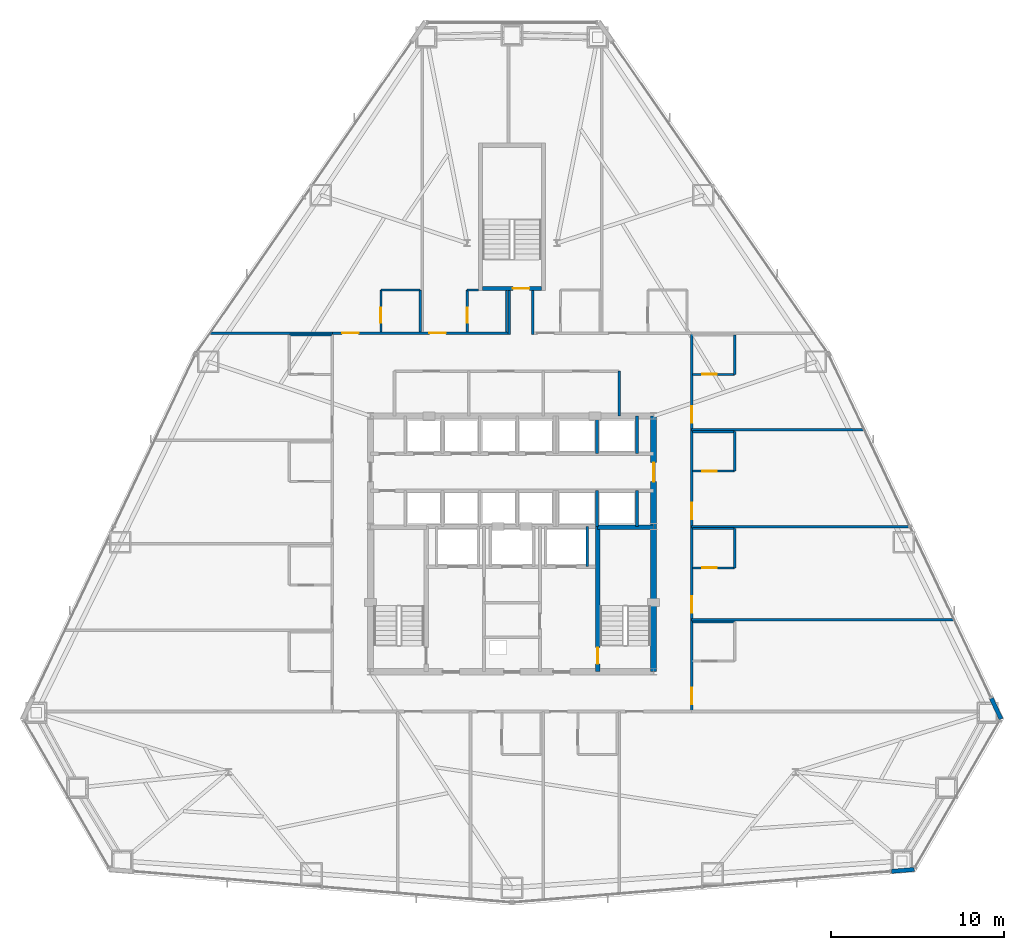
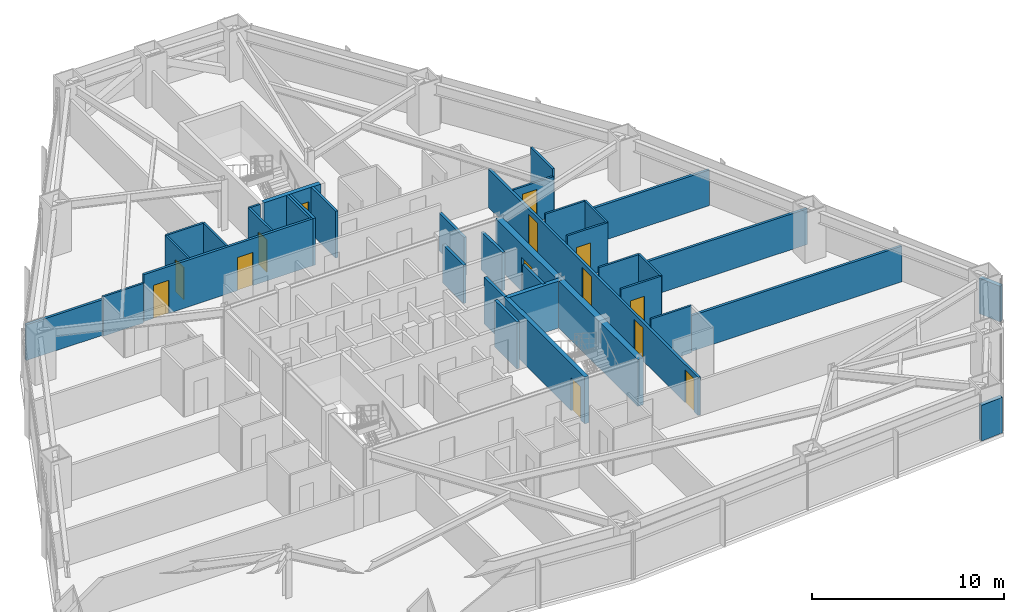
# One storey, part 11 of 13: 36 walls, 14 doors, 14 openings.
"""IFC4 building model written with IfcOpenShell, lengths in metres."""

from ifc_helpers import new_model, si_unit, direction, frame, frame_2d, origin, place, context, subcontext, project, spatial, rectangle, extrude, material, layer, layer_set, type_object, element, fill, save


model = new_model("IFC4")

# Units and contexts
model_context = context("Model", 3, precision=1e-05, world=origin(), true_north=direction((0.0, 1.0)))
body_context = subcontext(model_context, "Body", "Model", "MODEL_VIEW")
ifc_project = project(units=[si_unit("LENGTHUNIT", "METRE"), si_unit("AREAUNIT", "SQUARE_METRE"), si_unit("VOLUMEUNIT", "CUBIC_METRE"), si_unit("PLANEANGLEUNIT", "RADIAN"), si_unit("MASSUNIT", "GRAM", prefix="KILO")], contexts=[model_context])

# Site, building, storey
site_placement = place(None, origin())
site = spatial("IfcSite", under=ifc_project, at=site_placement, CompositionType="ELEMENT")
building_placement = place(site_placement, origin())
building = spatial("IfcBuilding", under=site, at=building_placement, Name="Varakhsha Concourse Tower", CompositionType="ELEMENT")
storey_placement = place(building_placement, frame((0.0, 0.0, 46.39990234375)))
storey = spatial("IfcBuildingStorey", under=building, at=storey_placement, Name="L12", CompositionType="ELEMENT", Elevation=46.39990234375)

# Wall, opening, door
ifc_material_1 = material(Name="Concrete fc 65 MPa", Category="concrete")
ifc_layer_1 = layer(ifc_material_1, 0.35009765625, Name="WL-CORE-350")
ifc_layer_set_1 = layer_set([ifc_layer_1], Name="Concrete fc 65 MPa")
wall_type_1 = type_object("IfcWallType", Name="WL-CORE-350", PredefinedType="SHEAR", material=ifc_layer_set_1)
wall_1_placement = place(storey_placement, frame((48.199951171875, 16.39990234375, 0.0), z_axis=(0.0, 0.0, 1.0), x_axis=(0.0, 1.0, 0.0)))
wall_1 = element("IfcWall", 1, at=wall_1_placement, inside=storey, type_object=wall_type_1, Name="L12 Wall CWALL-E-L12", PredefinedType="SHEAR", context=body_context, shape_type="SweptSolid", body=[
    extrude(rectangle(XDim=14.800048828125, YDim=0.35009765625, at=frame_2d((7.39990234375, 0.0))), origin(), (0.0, 0.0, 1.0), 2.97998046875),
])
opening_1_placement = place(wall_1_placement, frame((11.0, 0.0, 0.0)))
opening_1 = element("IfcOpeningElement", 2, at=opening_1_placement, cuts=wall_1, Name="Opening DL-01", PredefinedType="OPENING", context=body_context, shape_type="SweptSolid", body=[
    extrude(rectangle(XDim=1.10009765625, YDim=2.14990234375, at=frame_2d((0.550048828125, 1.074951171875))), frame((0.0, 0.18505859375, 0.0), z_axis=(0.0, -1.0, 0.0), x_axis=(1.0, 0.0, 0.0)), (0.0, 0.0, 1.0), 0.3701171875),
])
ifc_material_2 = material(Name="Anodised Bronze Architectural Aluminium AA 6063-T6", Category="aluminium")
door_type_1 = type_object("IfcDoorType", Name="DR-LOB-1100", OperationType="NOTDEFINED", PredefinedType="DOOR", material=ifc_material_2)
door_1_placement = place(opening_1_placement, origin())
door_1 = element("IfcDoor", 3, at=door_1_placement, inside=storey, type_object=door_type_1, Name="L12 Lift Lobby East Concourse Door", OperationType="SINGLE_SWING_RIGHT", OverallHeight=2.14990234375, OverallWidth=1.10009765625, PredefinedType="DOOR", context=body_context, shape_type="SweptSolid", body=[
    extrude(rectangle(XDim=1.10009765625, YDim=2.14990234375, at=frame_2d((0.550048828125, 1.074951171875))), frame((0.0, 0.02490234375, 0.0), z_axis=(0.0, -1.0, 0.0), x_axis=(1.0, 0.0, 0.0)), (0.0, 0.0, 1.0), 0.050048828125),
])
fill(opening_1, door_1)

# Walls
ifc_material_3 = material(Name="Concrete fc 45 MPa", Category="concrete")
ifc_layer_2 = layer(ifc_material_3, 0.239990234375, Name="WL-EXT-CRN-240")
ifc_layer_set_2 = layer_set([ifc_layer_2], Name="Concrete fc 45 MPa")
wall_type_2 = type_object("IfcWallType", Name="WL-EXT-CRN-240", PredefinedType="SHEAR", material=ifc_layer_set_2)
wall_2_placement = place(storey_placement, frame((61.953857421875, 4.8466796875, 0.0), z_axis=(0.0, 0.0, 1.0), x_axis=(0.996670011116, 0.081540719538, 0.0)))
element("IfcWall", 4, at=wall_2_placement, inside=storey, type_object=wall_type_2, Name="L12 Wind-Corner Shoulder Wall F6", PredefinedType="SHEAR", context=body_context, shape_type="SweptSolid", body=[
    extrude(rectangle(XDim=1.329345703125, YDim=0.239990234375, at=frame_2d((0.66455078125, 0.0))), origin(), (0.0, 0.0, 1.0), 2.26318359375),
])
wall_3_placement = place(storey_placement, frame((68.305908203125, 13.662353515625, 0.0), z_axis=(0.0, 0.0, 1.0), x_axis=(-0.427644283084, 0.903947104175, 0.0)))
element("IfcWall", 5, at=wall_3_placement, inside=storey, type_object=wall_type_2, Name="L12 Wind-Corner Shoulder Wall F8", PredefinedType="SHEAR", context=body_context, shape_type="SweptSolid", body=[
    extrude(rectangle(XDim=1.32958984375, YDim=0.239990234375, at=frame_2d((0.664794921875, 0.0))), origin(), (0.0, 0.0, 1.0), 2.26318359375),
])
ifc_material_4 = material(Name="Acoustic Gypsum Board Partition Assembly", Category="gypsum")
ifc_layer_3 = layer(ifc_material_4, 0.1201171875, Name="WL-PART-120")
ifc_layer_set_3 = layer_set([ifc_layer_3], Name="Acoustic Gypsum Board Partition Assembly")
wall_type_3 = type_object("IfcWallType", Name="WL-PART-120", PredefinedType="PARTITIONING", material=ifc_layer_set_3)
wall_4_placement = place(storey_placement, frame((27.110107421875, 35.889892578125, 0.0), z_axis=(0.0, 0.0, 1.0), x_axis=(1.0, 0.0, 0.0)))
element("IfcWall", 6, at=wall_4_placement, inside=storey, type_object=wall_type_3, Name="L12 Wall ENSW-N-L12-H09", PredefinedType="PARTITIONING", context=body_context, shape_type="SweptSolid", body=[
    extrude(rectangle(XDim=2.429931640625, YDim=0.1201171875, at=frame_2d((1.21484375, 0.0))), origin(), (0.0, 0.0, 1.0), 2.51318359375),
])
wall_5_placement = place(storey_placement, frame((50.4599609375, 19.2900390625, 0.0), z_axis=(0.0, 0.0, 1.0), x_axis=(1.0, 0.0, 0.0)))
element("IfcWall", 7, at=wall_5_placement, inside=storey, type_object=wall_type_3, Name="L12 Wall ENSW-N-L12-H10", PredefinedType="PARTITIONING", context=body_context, shape_type="SweptSolid", body=[
    extrude(rectangle(XDim=2.429931640625, YDim=0.1201171875, at=frame_2d((1.21484375, 0.0))), origin(), (0.0, 0.0, 1.0), 2.97998046875),
])
wall_6_placement = place(storey_placement, frame((52.889892578125, 22.409912109375, 0.0), z_axis=(0.0, 0.0, 1.0), x_axis=(0.0, 1.0, 0.0)))
element("IfcWall", 8, at=wall_6_placement, inside=storey, type_object=wall_type_3, Name="L12 Wall ENSW-E-L12-H11", PredefinedType="PARTITIONING", context=body_context, shape_type="SweptSolid", body=[
    extrude(rectangle(XDim=2.280029296875, YDim=0.1201171875, at=frame_2d((1.14013671875, 0.0))), origin(), (0.0, 0.0, 1.0), 2.97998046875),
])

# Wall, opening, door
wall_7_placement = place(storey_placement, frame((50.4599609375, 22.409912109375, 0.0), z_axis=(0.0, 0.0, 1.0), x_axis=(1.0, 0.0, 0.0)))
wall_7 = element("IfcWall", 9, at=wall_7_placement, inside=storey, type_object=wall_type_3, Name="L12 Wall ENSW-S-L12-H11", PredefinedType="PARTITIONING", context=body_context, shape_type="SweptSolid", body=[
    extrude(rectangle(XDim=2.429931640625, YDim=0.1201171875, at=frame_2d((1.21484375, 0.0))), origin(), (0.0, 0.0, 1.0), 2.97998046875),
])
opening_2_placement = place(wall_7_placement, frame((0.550048828125, 0.0, 0.0)))
opening_2 = element("IfcOpeningElement", 10, at=opening_2_placement, cuts=wall_7, Name="Opening DI-01", PredefinedType="OPENING", context=body_context, shape_type="SweptSolid", body=[
    extrude(rectangle(XDim=0.85009765625, YDim=2.050048828125, at=frame_2d((0.425048828125, 1.02490234375))), frame((0.0, 0.070068359375, 0.0), z_axis=(0.0, -1.0, 0.0), x_axis=(1.0, 0.0, 0.0)), (0.0, 0.0, 1.0), 0.14013671875),
])
ifc_material_5 = material(Name="Architectural Walnut Acoustic Timber Door", Category="wood")
door_type_2 = type_object("IfcDoorType", Name="DR-INT-850", OperationType="NOTDEFINED", PredefinedType="DOOR", material=ifc_material_5)
door_2_placement = place(opening_2_placement, origin())
door_2 = element("IfcDoor", 11, at=door_2_placement, inside=storey, type_object=door_type_2, Name="L12 En-suite Bathroom Door L12-H11", OperationType="SINGLE_SWING_RIGHT", OverallHeight=2.050048828125, OverallWidth=0.85009765625, PredefinedType="DOOR", context=body_context, shape_type="SweptSolid", body=[
    extrude(rectangle(XDim=0.85009765625, YDim=2.050048828125, at=frame_2d((0.425048828125, 1.02490234375))), frame((0.0, 0.02490234375, 0.0), z_axis=(0.0, -1.0, 0.0), x_axis=(1.0, 0.0, 0.0)), (0.0, 0.0, 1.0), 0.050048828125),
])
fill(opening_2, door_2)

# Walls
wall_8_placement = place(storey_placement, frame((50.4599609375, 24.68994140625, 0.0), z_axis=(0.0, 0.0, 1.0), x_axis=(1.0, 0.0, 0.0)))
element("IfcWall", 12, at=wall_8_placement, inside=storey, type_object=wall_type_3, Name="L12 Wall ENSW-N-L12-H11", PredefinedType="PARTITIONING", context=body_context, shape_type="SweptSolid", body=[
    extrude(rectangle(XDim=2.429931640625, YDim=0.1201171875, at=frame_2d((1.21484375, 0.0))), origin(), (0.0, 0.0, 1.0), 2.97998046875),
])
wall_9_placement = place(storey_placement, frame((52.889892578125, 28.010009765625, 0.0), z_axis=(0.0, 0.0, 1.0), x_axis=(0.0, 1.0, 0.0)))
element("IfcWall", 13, at=wall_9_placement, inside=storey, type_object=wall_type_3, Name="L12 Wall ENSW-E-L12-H12", PredefinedType="PARTITIONING", context=body_context, shape_type="SweptSolid", body=[
    extrude(rectangle(XDim=2.280029296875, YDim=0.1201171875, at=frame_2d((1.14013671875, 0.0))), origin(), (0.0, 0.0, 1.0), 2.97998046875),
])

# Wall, opening, door
wall_10_placement = place(storey_placement, frame((50.4599609375, 28.010009765625, 0.0), z_axis=(0.0, 0.0, 1.0), x_axis=(1.0, 0.0, 0.0)))
wall_10 = element("IfcWall", 14, at=wall_10_placement, inside=storey, type_object=wall_type_3, Name="L12 Wall ENSW-S-L12-H12", PredefinedType="PARTITIONING", context=body_context, shape_type="SweptSolid", body=[
    extrude(rectangle(XDim=2.429931640625, YDim=0.1201171875, at=frame_2d((1.21484375, 0.0))), origin(), (0.0, 0.0, 1.0), 2.97998046875),
])
opening_3_placement = place(wall_10_placement, frame((0.550048828125, 0.0, 0.0)))
opening_3 = element("IfcOpeningElement", 15, at=opening_3_placement, cuts=wall_10, Name="Opening DI-01", PredefinedType="OPENING", context=body_context, shape_type="SweptSolid", body=[
    extrude(rectangle(XDim=0.85009765625, YDim=2.050048828125, at=frame_2d((0.425048828125, 1.02490234375))), frame((0.0, 0.070068359375, 0.0), z_axis=(0.0, -1.0, 0.0), x_axis=(1.0, 0.0, 0.0)), (0.0, 0.0, 1.0), 0.14013671875),
])
door_3_placement = place(opening_3_placement, origin())
door_3 = element("IfcDoor", 16, at=door_3_placement, inside=storey, type_object=door_type_2, Name="L12 En-suite Bathroom Door L12-H12", OperationType="SINGLE_SWING_RIGHT", OverallHeight=2.050048828125, OverallWidth=0.85009765625, PredefinedType="DOOR", context=body_context, shape_type="SweptSolid", body=[
    extrude(rectangle(XDim=0.85009765625, YDim=2.050048828125, at=frame_2d((0.425048828125, 1.02490234375))), frame((0.0, 0.02490234375, 0.0), z_axis=(0.0, -1.0, 0.0), x_axis=(1.0, 0.0, 0.0)), (0.0, 0.0, 1.0), 0.050048828125),
])
fill(opening_3, door_3)

# Walls
wall_11_placement = place(storey_placement, frame((50.4599609375, 30.2900390625, 0.0), z_axis=(0.0, 0.0, 1.0), x_axis=(1.0, 0.0, 0.0)))
element("IfcWall", 17, at=wall_11_placement, inside=storey, type_object=wall_type_3, Name="L12 Wall ENSW-N-L12-H12", PredefinedType="PARTITIONING", context=body_context, shape_type="SweptSolid", body=[
    extrude(rectangle(XDim=2.429931640625, YDim=0.1201171875, at=frame_2d((1.21484375, 0.0))), origin(), (0.0, 0.0, 1.0), 2.97998046875),
])
wall_12_placement = place(storey_placement, frame((52.889892578125, 33.610107421875, 0.0), z_axis=(0.0, 0.0, 1.0), x_axis=(0.0, 1.0, 0.0)))
element("IfcWall", 18, at=wall_12_placement, inside=storey, type_object=wall_type_3, Name="L12 Wall ENSW-E-L12-H13", PredefinedType="PARTITIONING", context=body_context, shape_type="SweptSolid", body=[
    extrude(rectangle(XDim=2.27978515625, YDim=0.1201171875, at=frame_2d((1.139892578125, 0.0))), origin(), (0.0, 0.0, 1.0), 2.97998046875),
])

# Wall, opening, door
wall_13_placement = place(storey_placement, frame((50.4599609375, 33.610107421875, 0.0), z_axis=(0.0, 0.0, 1.0), x_axis=(1.0, 0.0, 0.0)))
wall_13 = element("IfcWall", 19, at=wall_13_placement, inside=storey, type_object=wall_type_3, Name="L12 Wall ENSW-S-L12-H13", PredefinedType="PARTITIONING", context=body_context, shape_type="SweptSolid", body=[
    extrude(rectangle(XDim=2.429931640625, YDim=0.1201171875, at=frame_2d((1.21484375, 0.0))), origin(), (0.0, 0.0, 1.0), 2.51318359375),
])
opening_4_placement = place(wall_13_placement, frame((0.550048828125, 0.0, 0.0)))
opening_4 = element("IfcOpeningElement", 20, at=opening_4_placement, cuts=wall_13, Name="Opening DI-01", PredefinedType="OPENING", context=body_context, shape_type="SweptSolid", body=[
    extrude(rectangle(XDim=0.85009765625, YDim=2.050048828125, at=frame_2d((0.425048828125, 1.02490234375))), frame((0.0, 0.070068359375, 0.0), z_axis=(0.0, -1.0, 0.0), x_axis=(1.0, 0.0, 0.0)), (0.0, 0.0, 1.0), 0.14013671875),
])
door_4_placement = place(opening_4_placement, origin())
door_4 = element("IfcDoor", 21, at=door_4_placement, inside=storey, type_object=door_type_2, Name="L12 En-suite Bathroom Door L12-H13", OperationType="SINGLE_SWING_RIGHT", OverallHeight=2.050048828125, OverallWidth=0.85009765625, PredefinedType="DOOR", context=body_context, shape_type="SweptSolid", body=[
    extrude(rectangle(XDim=0.85009765625, YDim=2.050048828125, at=frame_2d((0.425048828125, 1.02490234375))), frame((0.0, 0.02490234375, 0.0), z_axis=(0.0, -1.0, 0.0), x_axis=(1.0, 0.0, 0.0)), (0.0, 0.0, 1.0), 0.050048828125),
])
fill(opening_4, door_4)

wall_14_placement = place(storey_placement, frame((32.409912109375, 36.06005859375, 0.0), z_axis=(0.0, 0.0, 1.0), x_axis=(0.0, 1.0, 0.0)))
wall_14 = element("IfcWall", 22, at=wall_14_placement, inside=storey, type_object=wall_type_3, Name="L12 Wall ENSW-W-L12-H14", PredefinedType="PARTITIONING", context=body_context, shape_type="SweptSolid", body=[
    extrude(rectangle(XDim=2.429931640625, YDim=0.1201171875, at=frame_2d((1.21484375, 0.0))), origin(), (0.0, 0.0, 1.0), 2.97998046875),
])
opening_5_placement = place(wall_14_placement, frame((0.550048828125, 0.0, 0.0)))
opening_5 = element("IfcOpeningElement", 23, at=opening_5_placement, cuts=wall_14, Name="Opening DI-01", PredefinedType="OPENING", context=body_context, shape_type="SweptSolid", body=[
    extrude(rectangle(XDim=0.85009765625, YDim=2.050048828125, at=frame_2d((0.425048828125, 1.02490234375))), frame((0.0, 0.070068359375, 0.0), z_axis=(0.0, -1.0, 0.0), x_axis=(1.0, 0.0, 0.0)), (0.0, 0.0, 1.0), 0.14013671875),
])
door_5_placement = place(opening_5_placement, origin())
door_5 = element("IfcDoor", 24, at=door_5_placement, inside=storey, type_object=door_type_2, Name="L12 En-suite Bathroom Door L12-H14", OperationType="SINGLE_SWING_RIGHT", OverallHeight=2.050048828125, OverallWidth=0.85009765625, PredefinedType="DOOR", context=body_context, shape_type="SweptSolid", body=[
    extrude(rectangle(XDim=0.85009765625, YDim=2.050048828125, at=frame_2d((0.425048828125, 1.02490234375))), frame((0.0, 0.02490234375, 0.0), z_axis=(0.0, -1.0, 0.0), x_axis=(1.0, 0.0, 0.0)), (0.0, 0.0, 1.0), 0.050048828125),
])
fill(opening_5, door_5)

# Walls
wall_15_placement = place(storey_placement, frame((34.68994140625, 36.06005859375, 0.0), z_axis=(0.0, 0.0, 1.0), x_axis=(0.0, 1.0, 0.0)))
element("IfcWall", 25, at=wall_15_placement, inside=storey, type_object=wall_type_3, Name="L12 Wall ENSW-E-L12-H14", PredefinedType="PARTITIONING", context=body_context, shape_type="SweptSolid", body=[
    extrude(rectangle(XDim=2.429931640625, YDim=0.1201171875, at=frame_2d((1.21484375, 0.0))), origin(), (0.0, 0.0, 1.0), 2.97998046875),
])
wall_16_placement = place(storey_placement, frame((32.409912109375, 38.489990234375, 0.0), z_axis=(0.0, 0.0, 1.0), x_axis=(1.0, 0.0, 0.0)))
element("IfcWall", 26, at=wall_16_placement, inside=storey, type_object=wall_type_3, Name="L12 Wall ENSW-N-L12-H14", PredefinedType="PARTITIONING", context=body_context, shape_type="SweptSolid", body=[
    extrude(rectangle(XDim=2.280029296875, YDim=0.1201171875, at=frame_2d((1.14013671875, 0.0))), origin(), (0.0, 0.0, 1.0), 2.97998046875),
])

# Wall, opening, door
wall_17_placement = place(storey_placement, frame((37.409912109375, 36.06005859375, 0.0), z_axis=(0.0, 0.0, 1.0), x_axis=(0.0, 1.0, 0.0)))
wall_17 = element("IfcWall", 27, at=wall_17_placement, inside=storey, type_object=wall_type_3, Name="L12 Wall ENSW-W-L12-H15", PredefinedType="PARTITIONING", context=body_context, shape_type="SweptSolid", body=[
    extrude(rectangle(XDim=2.429931640625, YDim=0.1201171875, at=frame_2d((1.21484375, 0.0))), origin(), (0.0, 0.0, 1.0), 2.97998046875),
])
opening_6_placement = place(wall_17_placement, frame((0.550048828125, 0.0, 0.0)))
opening_6 = element("IfcOpeningElement", 28, at=opening_6_placement, cuts=wall_17, Name="Opening DI-01", PredefinedType="OPENING", context=body_context, shape_type="SweptSolid", body=[
    extrude(rectangle(XDim=0.85009765625, YDim=2.050048828125, at=frame_2d((0.425048828125, 1.02490234375))), frame((0.0, 0.070068359375, 0.0), z_axis=(0.0, -1.0, 0.0), x_axis=(1.0, 0.0, 0.0)), (0.0, 0.0, 1.0), 0.14013671875),
])
door_6_placement = place(opening_6_placement, origin())
door_6 = element("IfcDoor", 29, at=door_6_placement, inside=storey, type_object=door_type_2, Name="L12 En-suite Bathroom Door L12-H15", OperationType="SINGLE_SWING_RIGHT", OverallHeight=2.050048828125, OverallWidth=0.85009765625, PredefinedType="DOOR", context=body_context, shape_type="SweptSolid", body=[
    extrude(rectangle(XDim=0.85009765625, YDim=2.050048828125, at=frame_2d((0.425048828125, 1.02490234375))), frame((0.0, 0.02490234375, 0.0), z_axis=(0.0, -1.0, 0.0), x_axis=(1.0, 0.0, 0.0)), (0.0, 0.0, 1.0), 0.050048828125),
])
fill(opening_6, door_6)

# Walls
wall_18_placement = place(storey_placement, frame((39.68994140625, 36.06005859375, 0.0), z_axis=(0.0, 0.0, 1.0), x_axis=(0.0, 1.0, 0.0)))
element("IfcWall", 30, at=wall_18_placement, inside=storey, type_object=wall_type_3, Name="L12 Wall ENSW-E-L12-H15", PredefinedType="PARTITIONING", context=body_context, shape_type="SweptSolid", body=[
    extrude(rectangle(XDim=2.389892578125, YDim=0.1201171875, at=frame_2d((1.19482421875, 0.0))), origin(), (0.0, 0.0, 1.0), 2.97998046875),
])
wall_19_placement = place(storey_placement, frame((37.409912109375, 38.489990234375, 0.0), z_axis=(0.0, 0.0, 1.0), x_axis=(1.0, 0.0, 0.0)))
element("IfcWall", 31, at=wall_19_placement, inside=storey, type_object=wall_type_3, Name="L12 Wall ENSW-N-L12-H15", PredefinedType="PARTITIONING", context=body_context, shape_type="SweptSolid", body=[
    extrude(rectangle(XDim=0.64013671875, YDim=0.1201171875, at=frame_2d((0.320068359375, 0.0))), origin(), (0.0, 0.0, 1.0), 2.97998046875),
])
ifc_material_6 = material(Name="Fire-Rated Type X Gypsum Partition Assembly", Category="gypsum")
ifc_layer_4 = layer(ifc_material_6, 0.14990234375, Name="WL-PART-150")
ifc_layer_set_4 = layer_set([ifc_layer_4], Name="Fire-Rated Type X Gypsum Partition Assembly")
wall_type_4 = type_object("IfcWallType", Name="WL-PART-150", PredefinedType="PARTITIONING", material=ifc_layer_set_4)
wall_20_placement = place(storey_placement, frame((46.199951171875, 31.199951171875, 0.0), z_axis=(0.0, 0.0, 1.0), x_axis=(0.0, 1.0, 0.0)))
element("IfcWall", 32, at=wall_20_placement, inside=storey, type_object=wall_type_4, Name="L12 Wall NBOH-E-L12", PredefinedType="PARTITIONING", context=body_context, shape_type="SweptSolid", body=[
    extrude(rectangle(XDim=2.60009765625, YDim=0.14990234375, at=frame_2d((1.300048828125, 0.0))), origin(), (0.0, 0.0, 1.0), 2.43115234375),
])

# Wall, openings, doors
wall_21_placement = place(storey_placement, frame((29.60009765625, 36.0, 0.0), z_axis=(0.0, 0.0, 1.0), x_axis=(1.0, 0.0, 0.0)))
wall_21 = element("IfcWall", 33, at=wall_21_placement, inside=storey, type_object=wall_type_4, Name="L12 Wall CRW-N-L12", PredefinedType="PARTITIONING", context=body_context, shape_type="SweptSolid", body=[
    extrude(rectangle(XDim=10.1748046875, YDim=0.14990234375, at=frame_2d((5.08740234375, 0.0))), origin(), (0.0, 0.0, 1.0), 2.97998046875),
])
opening_7_placement = place(wall_21_placement, frame((0.570068359375, 0.0, 0.0)))
opening_7 = element("IfcOpeningElement", 34, at=opening_7_placement, cuts=wall_21, Name="Opening DF-05", PredefinedType="OPENING", context=body_context, shape_type="SweptSolid", body=[
    extrude(rectangle(XDim=0.949951171875, YDim=2.10009765625, at=frame_2d((0.47509765625, 1.050048828125))), frame((0.0, 0.0849609375, 0.0), z_axis=(0.0, -1.0, 0.0), x_axis=(1.0, 0.0, 0.0)), (0.0, 0.0, 1.0), 0.169921875),
])
opening_8_placement = place(wall_21_placement, frame((5.6201171875, 0.0, 0.0)))
opening_8 = element("IfcOpeningElement", 35, at=opening_8_placement, cuts=wall_21, Name="Opening DF-05", PredefinedType="OPENING", context=body_context, shape_type="SweptSolid", body=[
    extrude(rectangle(XDim=0.949951171875, YDim=2.10009765625, at=frame_2d((0.47509765625, 1.050048828125))), frame((0.0, 0.0849609375, 0.0), z_axis=(0.0, -1.0, 0.0), x_axis=(1.0, 0.0, 0.0)), (0.0, 0.0, 1.0), 0.169921875),
])
ifc_material_7 = material(Name="Hollow Galvanised Steel Fire Door Assembly", Category="steel")
door_type_3 = type_object("IfcDoorType", Name="DR-FD60-950", OperationType="NOTDEFINED", PredefinedType="DOOR", material=ifc_material_7)
door_7_placement = place(opening_7_placement, origin())
door_7 = element("IfcDoor", 36, at=door_7_placement, inside=storey, type_object=door_type_3, Name="L12 Hotel Corner Suite L12-H14 Entry Door", OperationType="SINGLE_SWING_RIGHT", OverallHeight=2.10009765625, OverallWidth=0.949951171875, PredefinedType="DOOR", context=body_context, shape_type="SweptSolid", body=[
    extrude(rectangle(XDim=0.949951171875, YDim=2.10009765625, at=frame_2d((0.47509765625, 1.050048828125))), frame((0.0, 0.02490234375, 0.0), z_axis=(0.0, -1.0, 0.0), x_axis=(1.0, 0.0, 0.0)), (0.0, 0.0, 1.0), 0.050048828125),
])
fill(opening_7, door_7)
door_8_placement = place(opening_8_placement, origin())
door_8 = element("IfcDoor", 37, at=door_8_placement, inside=storey, type_object=door_type_3, Name="L12 Hotel Corner Suite L12-H15 Entry Door", OperationType="SINGLE_SWING_LEFT", OverallHeight=2.10009765625, OverallWidth=0.949951171875, PredefinedType="DOOR", context=body_context, shape_type="SweptSolid", body=[
    extrude(rectangle(XDim=0.949951171875, YDim=2.10009765625, at=frame_2d((0.47509765625, 1.050048828125))), frame((0.0, 0.02490234375, 0.0), z_axis=(0.0, -1.0, 0.0), x_axis=(1.0, 0.0, 0.0)), (0.0, 0.0, 1.0), 0.050048828125),
])
fill(opening_8, door_8)

wall_22_placement = place(storey_placement, frame((50.39990234375, 14.10009765625, 0.0), z_axis=(0.0, 0.0, 1.0), x_axis=(0.0, 1.0, 0.0)))
wall_22 = element("IfcWall", 38, at=wall_22_placement, inside=storey, type_object=wall_type_4, Name="L12 Wall CRW-E-L12", PredefinedType="PARTITIONING", context=body_context, shape_type="SweptSolid", body=[
    extrude(rectangle(XDim=21.89990234375, YDim=0.14990234375, at=frame_2d((10.949951171875, 0.0))), origin(), (0.0, 0.0, 1.0), 2.43115234375),
])
opening_9_placement = place(wall_22_placement, frame((0.419921875, 0.0, 0.0)))
opening_9 = element("IfcOpeningElement", 39, at=opening_9_placement, cuts=wall_22, Name="Opening DF-05", PredefinedType="OPENING", context=body_context, shape_type="SweptSolid", body=[
    extrude(rectangle(XDim=0.949951171875, YDim=2.10009765625, at=frame_2d((0.47509765625, 1.050048828125))), frame((0.0, 0.0849609375, 0.0), z_axis=(0.0, -1.0, 0.0), x_axis=(1.0, 0.0, 0.0)), (0.0, 0.0, 1.0), 0.169921875),
])
opening_10_placement = place(wall_22_placement, frame((5.719970703125, 0.0, 0.0)))
opening_10 = element("IfcOpeningElement", 40, at=opening_10_placement, cuts=wall_22, Name="Opening DF-05", PredefinedType="OPENING", context=body_context, shape_type="SweptSolid", body=[
    extrude(rectangle(XDim=0.949951171875, YDim=2.10009765625, at=frame_2d((0.47509765625, 1.050048828125))), frame((0.0, 0.0849609375, 0.0), z_axis=(0.0, -1.0, 0.0), x_axis=(1.0, 0.0, 0.0)), (0.0, 0.0, 1.0), 0.169921875),
])
opening_11_placement = place(wall_22_placement, frame((11.1201171875, 0.0, 0.0)))
opening_11 = element("IfcOpeningElement", 41, at=opening_11_placement, cuts=wall_22, Name="Opening DF-05", PredefinedType="OPENING", context=body_context, shape_type="SweptSolid", body=[
    extrude(rectangle(XDim=0.949951171875, YDim=2.10009765625, at=frame_2d((0.47509765625, 1.050048828125))), frame((0.0, 0.0849609375, 0.0), z_axis=(0.0, -1.0, 0.0), x_axis=(1.0, 0.0, 0.0)), (0.0, 0.0, 1.0), 0.169921875),
])
opening_12_placement = place(wall_22_placement, frame((16.719970703125, 0.0, 0.0)))
opening_12 = element("IfcOpeningElement", 42, at=opening_12_placement, cuts=wall_22, Name="Opening DF-05", PredefinedType="OPENING", context=body_context, shape_type="SweptSolid", body=[
    extrude(rectangle(XDim=0.949951171875, YDim=2.10009765625, at=frame_2d((0.47509765625, 1.050048828125))), frame((0.0, 0.0849609375, 0.0), z_axis=(0.0, -1.0, 0.0), x_axis=(1.0, 0.0, 0.0)), (0.0, 0.0, 1.0), 0.169921875),
])
door_9_placement = place(opening_9_placement, origin())
door_9 = element("IfcDoor", 43, at=door_9_placement, inside=storey, type_object=door_type_3, Name="L12 Hotel Corner Suite L12-H10 Entry Door", OperationType="SINGLE_SWING_RIGHT", OverallHeight=2.10009765625, OverallWidth=0.949951171875, PredefinedType="DOOR", context=body_context, shape_type="SweptSolid", body=[
    extrude(rectangle(XDim=0.949951171875, YDim=2.10009765625, at=frame_2d((0.47509765625, 1.050048828125))), frame((0.0, 0.02490234375, 0.0), z_axis=(0.0, -1.0, 0.0), x_axis=(1.0, 0.0, 0.0)), (0.0, 0.0, 1.0), 0.050048828125),
])
fill(opening_9, door_9)
door_10_placement = place(opening_10_placement, origin())
door_10 = element("IfcDoor", 44, at=door_10_placement, inside=storey, type_object=door_type_3, Name="L12 Hotel Corner Suite L12-H11 Entry Door", OperationType="SINGLE_SWING_LEFT", OverallHeight=2.10009765625, OverallWidth=0.949951171875, PredefinedType="DOOR", context=body_context, shape_type="SweptSolid", body=[
    extrude(rectangle(XDim=0.949951171875, YDim=2.10009765625, at=frame_2d((0.47509765625, 1.050048828125))), frame((0.0, 0.02490234375, 0.0), z_axis=(0.0, -1.0, 0.0), x_axis=(1.0, 0.0, 0.0)), (0.0, 0.0, 1.0), 0.050048828125),
])
fill(opening_10, door_10)
door_11_placement = place(opening_11_placement, origin())
door_11 = element("IfcDoor", 45, at=door_11_placement, inside=storey, type_object=door_type_3, Name="L12 Hotel Corner Suite L12-H12 Entry Door", OperationType="SINGLE_SWING_RIGHT", OverallHeight=2.10009765625, OverallWidth=0.949951171875, PredefinedType="DOOR", context=body_context, shape_type="SweptSolid", body=[
    extrude(rectangle(XDim=0.949951171875, YDim=2.10009765625, at=frame_2d((0.47509765625, 1.050048828125))), frame((0.0, 0.02490234375, 0.0), z_axis=(0.0, -1.0, 0.0), x_axis=(1.0, 0.0, 0.0)), (0.0, 0.0, 1.0), 0.050048828125),
])
fill(opening_11, door_11)
door_12_placement = place(opening_12_placement, origin())
door_12 = element("IfcDoor", 46, at=door_12_placement, inside=storey, type_object=door_type_3, Name="L12 Hotel Corner Suite L12-H13 Entry Door", OperationType="SINGLE_SWING_LEFT", OverallHeight=2.10009765625, OverallWidth=0.949951171875, PredefinedType="DOOR", context=body_context, shape_type="SweptSolid", body=[
    extrude(rectangle(XDim=0.949951171875, YDim=2.10009765625, at=frame_2d((0.47509765625, 1.050048828125))), frame((0.0, 0.02490234375, 0.0), z_axis=(0.0, -1.0, 0.0), x_axis=(1.0, 0.0, 0.0)), (0.0, 0.0, 1.0), 0.050048828125),
])
fill(opening_12, door_12)

# Walls
wall_23_placement = place(storey_placement, frame((22.53466796875, 36.0, 0.0), z_axis=(0.0, 0.0, 1.0), x_axis=(1.0, 0.0, 0.0)))
element("IfcWall", 47, at=wall_23_placement, inside=storey, type_object=wall_type_4, Name="L12 Wall HDIV-WBN-L12", PredefinedType="PARTITIONING", context=body_context, shape_type="SweptSolid", body=[
    extrude(rectangle(XDim=7.0654296875, YDim=0.14990234375, at=frame_2d((3.53271484375, 0.0))), origin(), (0.0, 0.0, 1.0), 2.26806640625),
])
wall_24_placement = place(storey_placement, frame((50.39990234375, 19.39990234375, 0.0), z_axis=(0.0, 0.0, 1.0), x_axis=(1.0, 0.0, 0.0)))
element("IfcWall", 48, at=wall_24_placement, inside=storey, type_object=wall_type_4, Name="L12 Wall HDIV-E1-L12", PredefinedType="PARTITIONING", context=body_context, shape_type="SweptSolid", body=[
    extrude(rectangle(XDim=15.186279296875, YDim=0.14990234375, at=frame_2d((7.59326171875, 0.0))), origin(), (0.0, 0.0, 1.0), 2.26806640625),
])
wall_25_placement = place(storey_placement, frame((50.39990234375, 24.800048828125, 0.0), z_axis=(0.0, 0.0, 1.0), x_axis=(1.0, 0.0, 0.0)))
element("IfcWall", 49, at=wall_25_placement, inside=storey, type_object=wall_type_4, Name="L12 Wall HDIV-E2-L12", PredefinedType="PARTITIONING", context=body_context, shape_type="SweptSolid", body=[
    extrude(rectangle(XDim=12.632080078125, YDim=0.14990234375, at=frame_2d((6.31591796875, 0.0))), origin(), (0.0, 0.0, 1.0), 2.26806640625),
])
wall_26_placement = place(storey_placement, frame((50.39990234375, 30.39990234375, 0.0), z_axis=(0.0, 0.0, 1.0), x_axis=(1.0, 0.0, 0.0)))
element("IfcWall", 50, at=wall_26_placement, inside=storey, type_object=wall_type_4, Name="L12 Wall HDIV-E3-L12", PredefinedType="PARTITIONING", context=body_context, shape_type="SweptSolid", body=[
    extrude(rectangle(XDim=9.983154296875, YDim=0.14990234375, at=frame_2d((4.99169921875, 0.0))), origin(), (0.0, 0.0, 1.0), 2.26806640625),
])
for number, where, z_axis, x_axis, name in (
    (51, (39.85009765625, 35.925048828125, 0.0), (0.0, 0.0, 1.0), (0.0, 1.0, 0.0), "L12 Wall STUB-W-L12"),
    (52, (41.199951171875, 35.925048828125, 0.0), (0.0, 0.0, 1.0), (0.0, 1.0, 0.0), "L12 Wall STUB-E-L12"),
):
    element("IfcWall", number, at=place(storey_placement, frame(where, z_axis=z_axis, x_axis=x_axis)), inside=storey, type_object=wall_type_4, Name=name, PredefinedType="PARTITIONING", context=body_context, shape_type="SweptSolid", body=[
        extrude(rectangle(XDim=2.52490234375, YDim=0.14990234375, at=frame_2d((1.262451171875, 0.0))), origin(), (0.0, 0.0, 1.0), 2.97998046875),
    ])
ifc_layer_5 = layer(ifc_material_6, 0.199951171875, Name="WL-SHAFT-220")
ifc_layer_set_5 = layer_set([ifc_layer_5], Name="Fire-Rated Type X Gypsum Partition Assembly")
wall_type_5 = type_object("IfcWallType", Name="WL-SHAFT-220", PredefinedType="SOLIDWALL", material=ifc_layer_set_5)
wall_27_placement = place(storey_placement, frame((44.35009765625, 22.47998046875, 0.0), z_axis=(0.0, 0.0, 1.0), x_axis=(0.0, 1.0, 0.0)))
element("IfcWall", 53, at=wall_27_placement, inside=storey, type_object=wall_type_5, Name="L12 Wall SHW-FFL-2-E-L12", PredefinedType="SOLIDWALL", context=body_context, shape_type="SweptSolid", body=[
    extrude(rectangle(XDim=2.320068359375, YDim=0.159912109375, at=frame_2d((1.16015625, 0.0))), origin(), (0.0, 0.0, 1.0), 2.97998046875),
])
for number, where, z_axis, x_axis, name in (
    (54, (44.919921875, 29.02001953125, 0.0), (0.0, 0.0, 1.0), (0.0, 1.0, 0.0), "L12 Wall SHW-LF-P09-E-L12"),
    (55, (47.239990234375, 29.02001953125, 0.0), (0.0, 0.0, 1.0), (0.0, 1.0, 0.0), "L12 Wall SHW-LF-P10-E-L12"),
):
    element("IfcWall", number, at=place(storey_placement, frame(where, z_axis=z_axis, x_axis=x_axis)), inside=storey, type_object=wall_type_5, Name=name, PredefinedType="SOLIDWALL", context=body_context, shape_type="SweptSolid", body=[
        extrude(rectangle(XDim=2.179931640625, YDim=0.159912109375, at=frame_2d((1.08984375, 0.0))), origin(), (0.0, 0.0, 1.0), 2.43115234375),
    ])
for number, where, z_axis, x_axis, name in (
    (56, (44.919921875, 24.800048828125, 0.0), (0.0, 0.0, 1.0), (0.0, 1.0, 0.0), "L12 Wall SHW-LF-P11-E-L12"),
    (57, (47.239990234375, 24.800048828125, 0.0), (0.0, 0.0, 1.0), (0.0, 1.0, 0.0), "L12 Wall SHW-LF-P12-E-L12"),
):
    element("IfcWall", number, at=place(storey_placement, frame(where, z_axis=z_axis, x_axis=x_axis)), inside=storey, type_object=wall_type_5, Name=name, PredefinedType="SOLIDWALL", context=body_context, shape_type="SweptSolid", body=[
        extrude(rectangle(XDim=2.079833984375, YDim=0.159912109375, at=frame_2d((1.0400390625, 0.0))), origin(), (0.0, 0.0, 1.0), 2.97998046875),
    ])

# Wall, opening, door
ifc_layer_6 = layer(ifc_material_3, 0.25, Name="WL-STAIR-250")
ifc_layer_set_6 = layer_set([ifc_layer_6], Name="Concrete fc 45 MPa")
wall_type_6 = type_object("IfcWallType", Name="WL-STAIR-250", PredefinedType="SHEAR", material=ifc_layer_set_6)
wall_28_placement = place(storey_placement, frame((44.955078125, 16.39990234375, 0.0), z_axis=(0.0, 0.0, 1.0), x_axis=(0.0, 1.0, 0.0)))
wall_28 = element("IfcWall", 58, at=wall_28_placement, inside=storey, type_object=wall_type_6, Name="L12 Wall SWALL-ST2-W-L12", PredefinedType="SHEAR", context=body_context, shape_type="SweptSolid", body=[
    extrude(rectangle(XDim=8.400146484375, YDim=0.25, at=frame_2d((4.2001953125, 0.0))), origin(), (0.0, 0.0, 1.0), 2.97998046875),
])
opening_13_placement = place(wall_28_placement, frame((0.449951171875, 0.0, 0.0)))
opening_13 = element("IfcOpeningElement", 59, at=opening_13_placement, cuts=wall_28, Name="Opening DF-03", PredefinedType="OPENING", context=body_context, shape_type="SweptSolid", body=[
    extrude(rectangle(XDim=0.949951171875, YDim=2.10009765625, at=frame_2d((0.47509765625, 1.050048828125))), frame((0.0, 0.135009765625, 0.0), z_axis=(0.0, -1.0, 0.0), x_axis=(1.0, 0.0, 0.0)), (0.0, 0.0, 1.0), 0.27001953125),
])
door_type_4 = type_object("IfcDoorType", Name="DR-FD90-950", OperationType="NOTDEFINED", PredefinedType="DOOR", material=ifc_material_7)
door_13_placement = place(opening_13_placement, origin())
door_13 = element("IfcDoor", 60, at=door_13_placement, inside=storey, type_object=door_type_4, Name="L12 Stair ST2 Fire Door", OperationType="SINGLE_SWING_RIGHT", OverallHeight=2.10009765625, OverallWidth=0.949951171875, PredefinedType="DOOR", context=body_context, shape_type="SweptSolid", body=[
    extrude(rectangle(XDim=0.949951171875, YDim=2.10009765625, at=frame_2d((0.47509765625, 1.050048828125))), frame((0.0, 0.02490234375, 0.0), z_axis=(0.0, -1.0, 0.0), x_axis=(1.0, 0.0, 0.0)), (0.0, 0.0, 1.0), 0.050048828125),
])
fill(opening_13, door_13)

# Wall
wall_29_placement = place(storey_placement, frame((44.955078125, 24.7548828125, 0.0), z_axis=(0.0, 0.0, 1.0), x_axis=(1.0, 0.0, 0.0)))
element("IfcWall", 61, at=wall_29_placement, inside=storey, type_object=wall_type_6, Name="L12 Wall SWALL-ST2-N-L12", PredefinedType="SHEAR", context=body_context, shape_type="SweptSolid", body=[
    extrude(rectangle(XDim=3.244873046875, YDim=0.25, at=frame_2d((1.62255859375, 0.0))), origin(), (0.0, 0.0, 1.0), 2.97998046875),
])

# Wall, opening, door
wall_30_placement = place(storey_placement, frame((38.300048828125, 38.574951171875, 0.0), z_axis=(0.0, 0.0, 1.0), x_axis=(1.0, 0.0, 0.0)))
wall_30 = element("IfcWall", 62, at=wall_30_placement, inside=storey, type_object=wall_type_6, Name="L12 Wall SWALL-ST5-S-L12", PredefinedType="SHEAR", context=body_context, shape_type="SweptSolid", body=[
    extrude(rectangle(XDim=3.39990234375, YDim=0.25, at=frame_2d((1.699951171875, 0.0))), origin(), (0.0, 0.0, 1.0), 2.97998046875),
])
opening_14_placement = place(wall_30_placement, frame((1.75, 0.0, 0.0)))
opening_14 = element("IfcOpeningElement", 63, at=opening_14_placement, cuts=wall_30, Name="Opening DF-03", PredefinedType="OPENING", context=body_context, shape_type="SweptSolid", body=[
    extrude(rectangle(XDim=0.949951171875, YDim=2.10009765625, at=frame_2d((0.47509765625, 1.050048828125))), frame((0.0, 0.135009765625, 0.0), z_axis=(0.0, -1.0, 0.0), x_axis=(1.0, 0.0, 0.0)), (0.0, 0.0, 1.0), 0.27001953125),
])
door_14_placement = place(opening_14_placement, origin())
door_14 = element("IfcDoor", 64, at=door_14_placement, inside=storey, type_object=door_type_4, Name="L12 Stair ST5 Fire Door", OperationType="SINGLE_SWING_RIGHT", OverallHeight=2.10009765625, OverallWidth=0.949951171875, PredefinedType="DOOR", context=body_context, shape_type="SweptSolid", body=[
    extrude(rectangle(XDim=0.949951171875, YDim=2.10009765625, at=frame_2d((0.47509765625, 1.050048828125))), frame((0.0, 0.02490234375, 0.0), z_axis=(0.0, -1.0, 0.0), x_axis=(1.0, 0.0, 0.0)), (0.0, 0.0, 1.0), 0.050048828125),
])
fill(opening_14, door_14)

save(model, "model.ifc")
